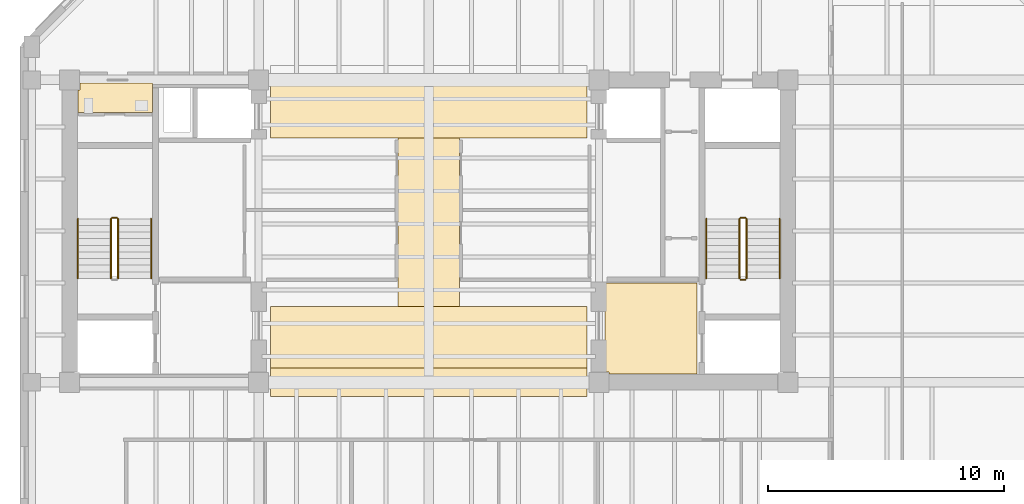
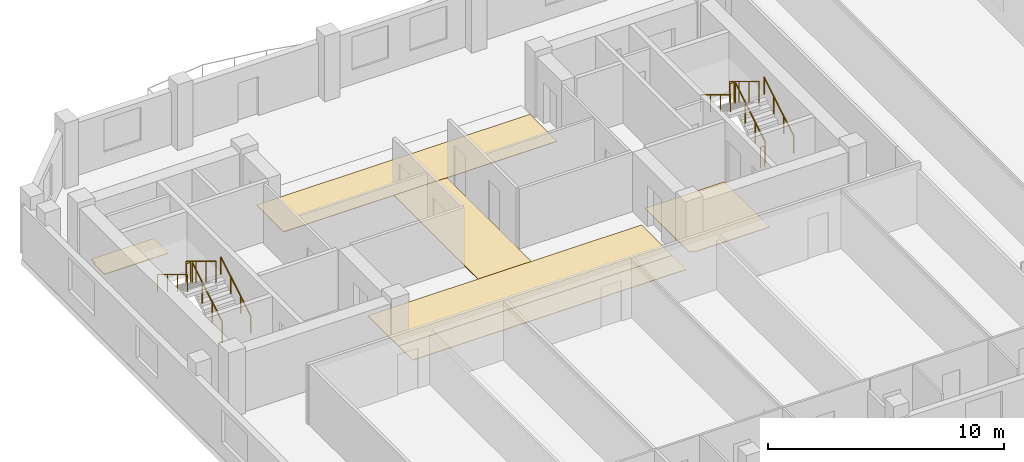
# One storey, part 8 of 10: 11 railings, 6 coverings.
"""IFC4 building model written with IfcOpenShell, lengths in metres."""

from ifc_helpers import new_model, si_unit, direction, frame, origin, origin_2d, place, context, subcontext, project, spatial, polyline, circle, outline, extrude, material, layer, layer_set, type_object, element, save


model = new_model("IFC4")

# Units and contexts
model_context = context("Model", 3, precision=1e-05, world=origin(), true_north=direction((0.0, 1.0)))
body_context = subcontext(model_context, "Body", "Model", "MODEL_VIEW")
ifc_project = project(units=[si_unit("LENGTHUNIT", "METRE"), si_unit("AREAUNIT", "SQUARE_METRE"), si_unit("VOLUMEUNIT", "CUBIC_METRE"), si_unit("PLANEANGLEUNIT", "RADIAN"), si_unit("MASSUNIT", "GRAM", prefix="KILO")], contexts=[model_context])

# Site, building, storey
site_placement = place(None, origin())
site = spatial("IfcSite", under=ifc_project, at=site_placement, CompositionType="ELEMENT")
building_placement = place(site_placement, origin())
building = spatial("IfcBuilding", under=site, at=building_placement, Name="Kranthara Brick Stack", CompositionType="ELEMENT")
storey_placement = place(building_placement, frame((0.0, 0.0, 234.699951171875)))
storey = spatial("IfcBuildingStorey", under=building, at=storey_placement, Name="L61", CompositionType="ELEMENT", Elevation=234.699951171875)

# Coverings
ifc_material_1 = material(Name="Honed terrazzo and porcelain floor finish", Category="stone")
ifc_layer = layer(ifc_material_1, 0.030029296875)
ifc_layer_set = layer_set([ifc_layer], Name="Honed terrazzo and porcelain floor finish")
covering_type = type_object("IfcCoveringType", Name="COV-FLOR-STONE", PredefinedType="FLOORING", material=ifc_layer_set)
covering_1_placement = place(storey_placement, origin())
element("IfcCovering", 1, at=covering_1_placement, inside=storey, type_object=covering_type, Name="L61 Lift Lobby Stone Flooring", PredefinedType="FLOORING", context=body_context, shape_type="SweptSolid", body=[
    extrude(outline(polyline([(35.449951171875, 25.0), (39.35009765625, 25.0), (39.35009765625, 21.14990234375), (35.635009765625, 21.14990234375), (35.635009765625, 21.235107421875), (35.449951171875, 21.235107421875), (35.449951171875, 25.0)])), origin(), (0.0, 0.0, 1.0), 0.030029296875),
])
covering_2_placement = place(storey_placement, origin())
element("IfcCovering", 2, at=covering_2_placement, inside=storey, type_object=covering_type, Name="L61 Wet Room Porcelain Flooring", PredefinedType="FLOORING", context=body_context, shape_type="SweptSolid", body=[
    extrude(outline(polyline([(16.300048828125, 33.47998046875), (16.300048828125, 32.22998046875), (13.14990234375, 32.22998046875), (13.14990234375, 33.1650390625), (13.235107421875, 33.1650390625), (13.235107421875, 33.47998046875), (16.300048828125, 33.47998046875)])), origin(), (0.0, 0.0, 1.0), 0.030029296875),
])
covering_3_placement = place(storey_placement, origin())
element("IfcCovering", 3, at=covering_3_placement, inside=storey, type_object=covering_type, Name="L61 Lift Lobby Stone Flooring", PredefinedType="FLOORING", context=body_context, shape_type="SweptSolid", body=[
    extrude(outline(polyline([(34.699951171875, 21.39990234375), (34.699951171875, 24.0), (21.300048828125, 24.0), (21.300048828125, 21.39990234375), (34.699951171875, 21.39990234375)])), origin(), (0.0, 0.0, 1.0), 0.030029296875),
])
covering_4_placement = place(storey_placement, origin())
element("IfcCovering", 4, at=covering_4_placement, inside=storey, type_object=covering_type, Name="L61 Lift Lobby Stone Flooring", PredefinedType="FLOORING", context=body_context, shape_type="SweptSolid", body=[
    extrude(outline(polyline([(34.699951171875, 31.14990234375), (34.699951171875, 33.449951171875), (21.300048828125, 33.449951171875), (21.300048828125, 31.14990234375), (34.699951171875, 31.14990234375)])), origin(), (0.0, 0.0, 1.0), 0.030029296875),
])
covering_5_placement = place(storey_placement, origin())
element("IfcCovering", 5, at=covering_5_placement, inside=storey, type_object=covering_type, Name="L61 Lift Lobby Stone Flooring", PredefinedType="FLOORING", context=body_context, shape_type="SweptSolid", body=[
    extrude(outline(polyline([(29.300048828125, 24.0), (26.699951171875, 24.0), (26.699951171875, 31.14990234375), (29.300048828125, 31.14990234375), (29.300048828125, 24.0)])), origin(), (0.0, 0.0, 1.0), 0.030029296875),
])
covering_6_placement = place(storey_placement, origin())
element("IfcCovering", 6, at=covering_6_placement, inside=storey, type_object=covering_type, Name="L61 Lift Lobby Stone Flooring", PredefinedType="FLOORING", context=body_context, shape_type="SweptSolid", body=[
    extrude(outline(polyline([(34.699951171875, 20.199951171875), (21.300048828125, 20.199951171875), (21.300048828125, 21.39990234375), (34.699951171875, 21.39990234375), (34.699951171875, 20.199951171875)])), origin(), (0.0, 0.0, 1.0), 0.030029296875),
])

# Railings
ifc_material_2 = material(Name="Painted galvanized steel stair guardrail", Category="steel")
railing_type_1 = type_object("IfcRailingType", Name="RL-STAIR-GUARD-1100", PredefinedType="GUARDRAIL", material=ifc_material_2)
railing_1_placement = place(storey_placement, frame((14.85009765625, 25.199951171875, 0.170166015625)))
element("IfcRailing", 7, at=railing_1_placement, inside=storey, type_object=railing_type_1, Name="L61 ST01 stair guard 1", PredefinedType="GUARDRAIL", context=body_context, shape_type="SweptSolid", body=[
    extrude(circle(Radius=0.02392578125, at=origin_2d()), frame((0.0, 0.0, 1.076171875), z_axis=(0.0, 0.854821627497, 0.518921945155), x_axis=(-1.0, 0.0, 0.0)), (0.0, 0.0, 1.0), 2.947998046875),
    extrude(circle(Radius=0.02099609375, at=origin_2d()), origin(), (0.0, 0.0, 1.0), 1.052001953125),
    extrude(circle(Radius=0.02099609375, at=origin_2d()), frame((0.0, 0.840087890625, 0.510009765625)), (0.0, 0.0, 1.0), 1.052001953125),
    extrude(circle(Radius=0.02099609375, at=origin_2d()), frame((0.0, 1.679931640625, 1.019775390625)), (0.0, 0.0, 1.0), 1.052001953125),
    extrude(circle(Radius=0.02099609375, at=origin_2d()), frame((0.0, 2.52001953125, 1.52978515625)), (0.0, 0.0, 1.0), 1.052001953125),
])
railing_2_placement = place(storey_placement, frame((14.800048828125, 27.77001953125, 1.699951171875)))
element("IfcRailing", 8, at=railing_2_placement, inside=storey, type_object=railing_type_1, Name="L61 ST01 stair guard 2", PredefinedType="GUARDRAIL", context=body_context, shape_type="SweptSolid", body=[
    extrude(circle(Radius=0.02392578125, at=origin_2d()), frame((0.0, 0.0, 1.076171875), z_axis=(-1.0, 0.0, 0.0), x_axis=(0.0, -1.0, 0.0)), (0.0, 0.0, 1.0), 0.199951171875),
    extrude(circle(Radius=0.02099609375, at=origin_2d()), origin(), (0.0, 0.0, 1.0), 1.052001953125),
    extrude(circle(Radius=0.02099609375, at=origin_2d()), frame((-0.199951171875, 0.0, 0.0)), (0.0, 0.0, 1.0), 1.052001953125),
])
railing_3_placement = place(storey_placement, frame((14.550048828125, 27.719970703125, 1.8701171875)))
element("IfcRailing", 9, at=railing_3_placement, inside=storey, type_object=railing_type_1, Name="L61 ST01 stair guard 3", PredefinedType="GUARDRAIL", context=body_context, shape_type="SweptSolid", body=[
    extrude(circle(Radius=0.02392578125, at=origin_2d()), frame((0.0, 0.0, 1.076171875), z_axis=(0.0, -0.85478489116, 0.518982456201), x_axis=(1.0, 0.0, 0.0)), (0.0, 0.0, 1.0), 2.9482421875),
    extrude(circle(Radius=0.02099609375, at=origin_2d()), origin(), (0.0, 0.0, 1.0), 1.052001953125),
    extrude(circle(Radius=0.02099609375, at=origin_2d()), frame((0.0, -0.840087890625, 0.510009765625)), (0.0, 0.0, 1.0), 1.052001953125),
    extrude(circle(Radius=0.02099609375, at=origin_2d()), frame((0.0, -1.679931640625, 1.02001953125)), (0.0, 0.0, 1.0), 1.052001953125),
    extrude(circle(Radius=0.02099609375, at=origin_2d()), frame((0.0, -2.52001953125, 1.530029296875)), (0.0, 0.0, 1.0), 1.052001953125),
])
railing_4_placement = place(storey_placement, frame((41.449951171875, 25.199951171875, 0.170166015625)))
element("IfcRailing", 10, at=railing_4_placement, inside=storey, type_object=railing_type_1, Name="L61 ST02 stair guard 1", PredefinedType="GUARDRAIL", context=body_context, shape_type="SweptSolid", body=[
    extrude(circle(Radius=0.02392578125, at=origin_2d()), frame((0.0, 0.0, 1.076171875), z_axis=(0.0, 0.854821627497, 0.518921945155), x_axis=(-1.0, 0.0, 0.0)), (0.0, 0.0, 1.0), 2.947998046875),
    extrude(circle(Radius=0.02099609375, at=origin_2d()), origin(), (0.0, 0.0, 1.0), 1.052001953125),
    extrude(circle(Radius=0.02099609375, at=origin_2d()), frame((0.0, 0.840087890625, 0.510009765625)), (0.0, 0.0, 1.0), 1.052001953125),
    extrude(circle(Radius=0.02099609375, at=origin_2d()), frame((0.0, 1.679931640625, 1.019775390625)), (0.0, 0.0, 1.0), 1.052001953125),
    extrude(circle(Radius=0.02099609375, at=origin_2d()), frame((0.0, 2.52001953125, 1.52978515625)), (0.0, 0.0, 1.0), 1.052001953125),
])
railing_5_placement = place(storey_placement, frame((41.39990234375, 27.77001953125, 1.699951171875)))
element("IfcRailing", 11, at=railing_5_placement, inside=storey, type_object=railing_type_1, Name="L61 ST02 stair guard 2", PredefinedType="GUARDRAIL", context=body_context, shape_type="SweptSolid", body=[
    extrude(circle(Radius=0.02392578125, at=origin_2d()), frame((0.0, 0.0, 1.076171875), z_axis=(-1.0, 0.0, 0.0), x_axis=(0.0, -1.0, 0.0)), (0.0, 0.0, 1.0), 0.199951171875),
    extrude(circle(Radius=0.02099609375, at=origin_2d()), origin(), (0.0, 0.0, 1.0), 1.052001953125),
    extrude(circle(Radius=0.02099609375, at=origin_2d()), frame((-0.199951171875, 0.0, 0.0)), (0.0, 0.0, 1.0), 1.052001953125),
])
railing_6_placement = place(storey_placement, frame((41.14990234375, 27.719970703125, 1.8701171875)))
element("IfcRailing", 12, at=railing_6_placement, inside=storey, type_object=railing_type_1, Name="L61 ST02 stair guard 3", PredefinedType="GUARDRAIL", context=body_context, shape_type="SweptSolid", body=[
    extrude(circle(Radius=0.02392578125, at=origin_2d()), frame((0.0, 0.0, 1.076171875), z_axis=(0.0, -0.85478489116, 0.518982456201), x_axis=(1.0, 0.0, 0.0)), (0.0, 0.0, 1.0), 2.9482421875),
    extrude(circle(Radius=0.02099609375, at=origin_2d()), origin(), (0.0, 0.0, 1.0), 1.052001953125),
    extrude(circle(Radius=0.02099609375, at=origin_2d()), frame((0.0, -0.840087890625, 0.510009765625)), (0.0, 0.0, 1.0), 1.052001953125),
    extrude(circle(Radius=0.02099609375, at=origin_2d()), frame((0.0, -1.679931640625, 1.02001953125)), (0.0, 0.0, 1.0), 1.052001953125),
    extrude(circle(Radius=0.02099609375, at=origin_2d()), frame((0.0, -2.52001953125, 1.530029296875)), (0.0, 0.0, 1.0), 1.052001953125),
])
railing_7_placement = place(storey_placement, frame((41.39990234375, 25.14990234375, 0.0)))
element("IfcRailing", 13, at=railing_7_placement, inside=storey, type_object=railing_type_1, Name="L61 ST02 stair guard 4", PredefinedType="GUARDRAIL", context=body_context, shape_type="SweptSolid", body=[
    extrude(circle(Radius=0.02392578125, at=origin_2d()), frame((0.0, 0.0, 1.076171875), z_axis=(-1.0, 0.0, 0.0), x_axis=(0.0, -1.0, 0.0)), (0.0, 0.0, 1.0), 0.199951171875),
    extrude(circle(Radius=0.02099609375, at=origin_2d()), origin(), (0.0, 0.0, 1.0), 1.052001953125),
    extrude(circle(Radius=0.02099609375, at=origin_2d()), frame((-0.199951171875, 0.0, 0.0)), (0.0, 0.0, 1.0), 1.052001953125),
])
ifc_material_3 = material(Name="Brushed stainless steel tubular handrail", Category="steel")
railing_type_2 = type_object("IfcRailingType", Name="RL-STAIR-HAND-900", PredefinedType="HANDRAIL", material=ifc_material_3)
railing_8_placement = place(storey_placement, frame((16.25, 25.199951171875, 0.170166015625)))
element("IfcRailing", 14, at=railing_8_placement, inside=storey, type_object=railing_type_2, Name="L61 ST01 stair handrail 1", PredefinedType="HANDRAIL", context=body_context, shape_type="SweptSolid", body=[
    extrude(circle(Radius=0.02392578125, at=origin_2d()), frame((0.0, 0.0, 0.8759765625), z_axis=(0.0, 0.854821627497, 0.518921945155), x_axis=(-1.0, 0.0, 0.0)), (0.0, 0.0, 1.0), 2.947998046875),
    extrude(circle(Radius=0.02099609375, at=origin_2d()), origin(), (0.0, 0.0, 1.0), 0.851806640625),
    extrude(circle(Radius=0.02099609375, at=origin_2d()), frame((0.0, 0.840087890625, 0.510009765625)), (0.0, 0.0, 1.0), 0.851806640625),
    extrude(circle(Radius=0.02099609375, at=origin_2d()), frame((0.0, 1.679931640625, 1.019775390625)), (0.0, 0.0, 1.0), 0.851806640625),
    extrude(circle(Radius=0.02099609375, at=origin_2d()), frame((0.0, 2.52001953125, 1.52978515625)), (0.0, 0.0, 1.0), 0.851806640625),
])
railing_9_placement = place(storey_placement, frame((13.14990234375, 27.719970703125, 1.8701171875)))
element("IfcRailing", 15, at=railing_9_placement, inside=storey, type_object=railing_type_2, Name="L61 ST01 stair handrail 2", PredefinedType="HANDRAIL", context=body_context, shape_type="SweptSolid", body=[
    extrude(circle(Radius=0.02392578125, at=origin_2d()), frame((0.0, 0.0, 0.8759765625), z_axis=(0.0, -0.85478489116, 0.518982456201), x_axis=(1.0, 0.0, 0.0)), (0.0, 0.0, 1.0), 2.9482421875),
    extrude(circle(Radius=0.02099609375, at=origin_2d()), origin(), (0.0, 0.0, 1.0), 0.851806640625),
    extrude(circle(Radius=0.02099609375, at=origin_2d()), frame((0.0, -0.840087890625, 0.510009765625)), (0.0, 0.0, 1.0), 0.851806640625),
    extrude(circle(Radius=0.02099609375, at=origin_2d()), frame((0.0, -1.679931640625, 1.02001953125)), (0.0, 0.0, 1.0), 0.851806640625),
    extrude(circle(Radius=0.02099609375, at=origin_2d()), frame((0.0, -2.52001953125, 1.530029296875)), (0.0, 0.0, 1.0), 0.851806640625),
])
railing_10_placement = place(storey_placement, frame((42.85009765625, 25.199951171875, 0.170166015625)))
element("IfcRailing", 16, at=railing_10_placement, inside=storey, type_object=railing_type_2, Name="L61 ST02 stair handrail 1", PredefinedType="HANDRAIL", context=body_context, shape_type="SweptSolid", body=[
    extrude(circle(Radius=0.02392578125, at=origin_2d()), frame((0.0, 0.0, 0.8759765625), z_axis=(0.0, 0.854821627497, 0.518921945155), x_axis=(-1.0, 0.0, 0.0)), (0.0, 0.0, 1.0), 2.947998046875),
    extrude(circle(Radius=0.02099609375, at=origin_2d()), origin(), (0.0, 0.0, 1.0), 0.851806640625),
    extrude(circle(Radius=0.02099609375, at=origin_2d()), frame((0.0, 0.840087890625, 0.510009765625)), (0.0, 0.0, 1.0), 0.851806640625),
    extrude(circle(Radius=0.02099609375, at=origin_2d()), frame((0.0, 1.679931640625, 1.019775390625)), (0.0, 0.0, 1.0), 0.851806640625),
    extrude(circle(Radius=0.02099609375, at=origin_2d()), frame((0.0, 2.52001953125, 1.52978515625)), (0.0, 0.0, 1.0), 0.851806640625),
])
railing_11_placement = place(storey_placement, frame((39.75, 27.719970703125, 1.8701171875)))
element("IfcRailing", 17, at=railing_11_placement, inside=storey, type_object=railing_type_2, Name="L61 ST02 stair handrail 2", PredefinedType="HANDRAIL", context=body_context, shape_type="SweptSolid", body=[
    extrude(circle(Radius=0.02392578125, at=origin_2d()), frame((0.0, 0.0, 0.8759765625), z_axis=(0.0, -0.85478489116, 0.518982456201), x_axis=(1.0, 0.0, 0.0)), (0.0, 0.0, 1.0), 2.9482421875),
    extrude(circle(Radius=0.02099609375, at=origin_2d()), origin(), (0.0, 0.0, 1.0), 0.851806640625),
    extrude(circle(Radius=0.02099609375, at=origin_2d()), frame((0.0, -0.840087890625, 0.510009765625)), (0.0, 0.0, 1.0), 0.851806640625),
    extrude(circle(Radius=0.02099609375, at=origin_2d()), frame((0.0, -1.679931640625, 1.02001953125)), (0.0, 0.0, 1.0), 0.851806640625),
    extrude(circle(Radius=0.02099609375, at=origin_2d()), frame((0.0, -2.52001953125, 1.530029296875)), (0.0, 0.0, 1.0), 0.851806640625),
])

save(model, "model.ifc")
